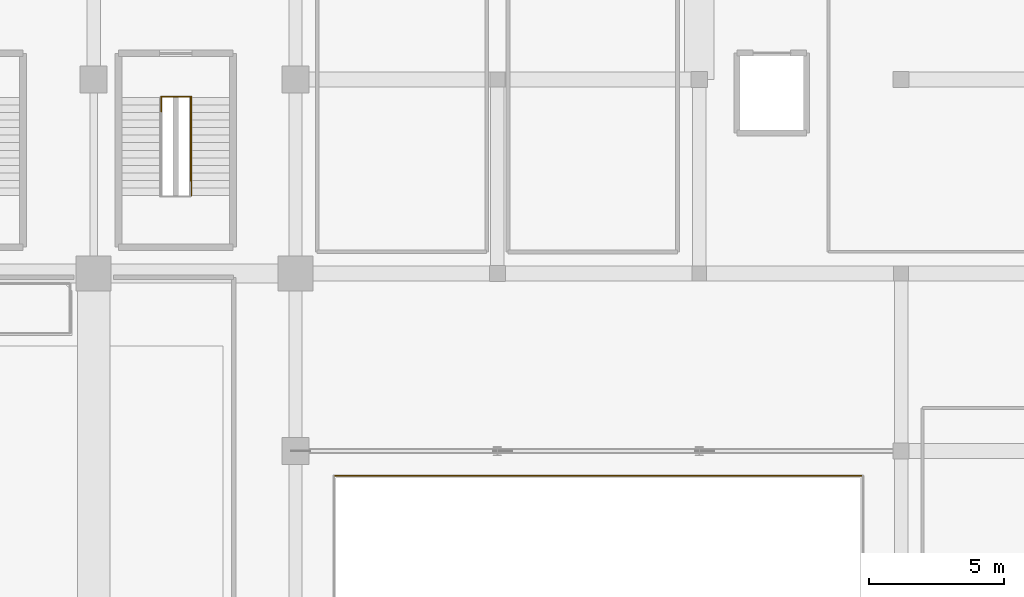
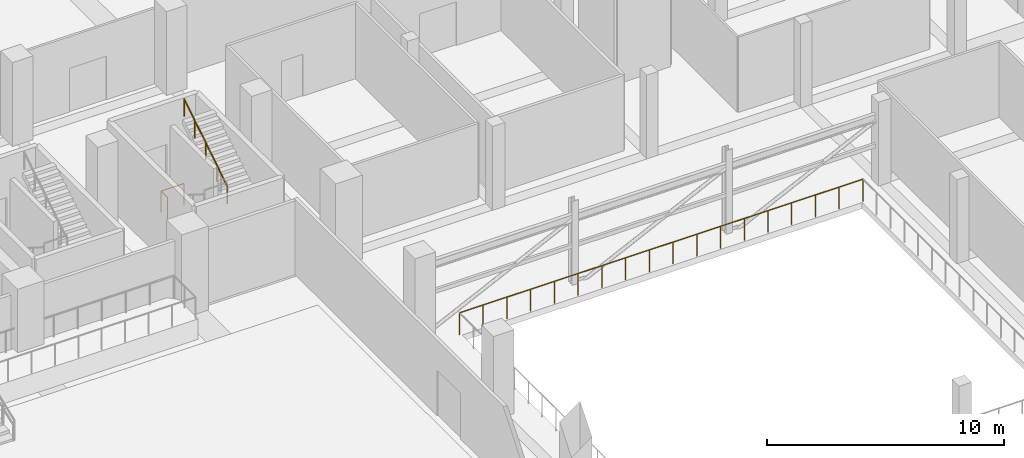
# One storey, part 62 of 68: 3 railings.
"""IFC4 building model written with IfcOpenShell, lengths in metres."""

from ifc_helpers import new_model, si_unit, direction, frame, origin, origin_2d, place, context, subcontext, project, spatial, circle, extrude, material, layer, layer_set, type_object, element, save


model = new_model("IFC4")

# Units and contexts
model_context = context("Model", 3, precision=1e-05, world=origin(), true_north=direction((0.0, 1.0)))
body_context = subcontext(model_context, "Body", "Model", "MODEL_VIEW")
ifc_project = project(units=[si_unit("LENGTHUNIT", "METRE"), si_unit("AREAUNIT", "SQUARE_METRE"), si_unit("VOLUMEUNIT", "CUBIC_METRE"), si_unit("PLANEANGLEUNIT", "RADIAN"), si_unit("MASSUNIT", "GRAM", prefix="KILO")], contexts=[model_context])

# Site, building, storey
site_placement = place(None, origin())
site = spatial("IfcSite", under=ifc_project, at=site_placement, CompositionType="ELEMENT")
building_placement = place(site_placement, origin())
building = spatial("IfcBuilding", under=site, at=building_placement, Name="Akrevak Sports Hall", CompositionType="ELEMENT")
storey_placement = place(building_placement, frame((0.0, 0.0, 9.39990234375)))
storey = spatial("IfcBuildingStorey", under=building, at=storey_placement, Name="L02", CompositionType="ELEMENT", Elevation=9.39990234375)

# Railings
ifc_material_1 = material(Name="Painted Architectural Balustrade Steel", Category="steel")
ifc_layer_1 = layer(ifc_material_1, 0.06005859375, Name="Painted Architectural Balustrade Steel")
ifc_layer_set_1 = layer_set([ifc_layer_1], Name="Painted Architectural Balustrade Steel")
railing_type_1 = type_object("IfcRailingType", Name="ARC-RL-GRD-1120", PredefinedType="GUARDRAIL", material=ifc_layer_set_1)
railing_1_placement = place(storey_placement, frame((110.510009765625, 61.215087890625, 0.0)))
element("IfcRailing", 1, at=railing_1_placement, inside=storey, type_object=railing_type_1, Name="Stair Floor Landing Well Guard ST11 (L02)", PredefinedType="GUARDRAIL", context=body_context, shape_type="SweptSolid", body=[
    extrude(circle(Radius=0.02392578125, at=origin_2d()), frame((0.0, 0.0, 1.09619140625), z_axis=(0.0, 1.0, 0.0), x_axis=(-1.0, 0.0, 0.0)), (0.0, 0.0, 1.0), 0.5498046875),
    extrude(circle(Radius=0.02392578125, at=origin_2d()), frame((0.0, 0.5498046875, 1.09619140625), z_axis=(1.0, 0.0, 0.0), x_axis=(0.0, 1.0, 0.0)), (0.0, 0.0, 1.0), 1.110107421875),
    extrude(circle(Radius=0.02099609375, at=origin_2d()), origin(), (0.0, 0.0, 1.0), 1.072021484375),
    extrude(circle(Radius=0.02099609375, at=origin_2d()), frame((0.0, 0.5498046875, 0.0)), (0.0, 0.0, 1.0), 1.072021484375),
    extrude(circle(Radius=0.02099609375, at=origin_2d()), frame((1.110107421875, 0.5498046875, 0.0)), (0.0, 0.0, 1.0), 1.072021484375),
])
ifc_material_2 = material(Name="Anodized Bronze Aluminium & Laminated Glass", Category="aluminium")
ifc_layer_2 = layer(ifc_material_2, 0.080078125, Name="Anodized Bronze Aluminium & Laminated Glass")
ifc_layer_set_2 = layer_set([ifc_layer_2], Name="Anodized Bronze Aluminium & Laminated Glass")
railing_type_2 = type_object("IfcRailingType", Name="ARC-RL-GRD-1150", PredefinedType="GUARDRAIL", material=ifc_layer_set_2)
railing_2_placement = place(storey_placement, frame((136.580078125, 47.679931640625, 0.0)))
element("IfcRailing", 2, at=railing_2_placement, inside=storey, type_object=railing_type_2, Name="Atrium/Arena Gallery Guardrail L02-CLM-N", PredefinedType="GUARDRAIL", context=body_context, shape_type="SweptSolid", body=[
    extrude(circle(Radius=0.02392578125, at=origin_2d()), frame((0.0, 0.0, 1.1259765625), z_axis=(-1.0, 0.0, 0.0), x_axis=(0.0, -1.0, 0.0)), (0.0, 0.0, 1.0), 19.66015625),
    extrude(circle(Radius=0.02099609375, at=origin_2d()), origin(), (0.0, 0.0, 1.0), 1.101806640625),
    extrude(circle(Radius=0.02099609375, at=origin_2d()), frame((-1.156494140625, 0.0, 0.0)), (0.0, 0.0, 1.0), 1.101806640625),
    extrude(circle(Radius=0.02099609375, at=origin_2d()), frame((-2.31298828125, 0.0, 0.0)), (0.0, 0.0, 1.0), 1.101806640625),
    extrude(circle(Radius=0.02099609375, at=origin_2d()), frame((-3.469482421875, 0.0, 0.0)), (0.0, 0.0, 1.0), 1.101806640625),
    extrude(circle(Radius=0.02099609375, at=origin_2d()), frame((-4.6259765625, 0.0, 0.0)), (0.0, 0.0, 1.0), 1.101806640625),
    extrude(circle(Radius=0.02099609375, at=origin_2d()), frame((-5.782470703125, 0.0, 0.0)), (0.0, 0.0, 1.0), 1.101806640625),
    extrude(circle(Radius=0.02099609375, at=origin_2d()), frame((-6.93896484375, 0.0, 0.0)), (0.0, 0.0, 1.0), 1.101806640625),
    extrude(circle(Radius=0.02099609375, at=origin_2d()), frame((-8.095458984375, 0.0, 0.0)), (0.0, 0.0, 1.0), 1.101806640625),
    extrude(circle(Radius=0.02099609375, at=origin_2d()), frame((-9.251953125, 0.0, 0.0)), (0.0, 0.0, 1.0), 1.101806640625),
    extrude(circle(Radius=0.02099609375, at=origin_2d()), frame((-10.408203125, 0.0, 0.0)), (0.0, 0.0, 1.0), 1.101806640625),
    extrude(circle(Radius=0.02099609375, at=origin_2d()), frame((-11.564697265625, 0.0, 0.0)), (0.0, 0.0, 1.0), 1.101806640625),
    extrude(circle(Radius=0.02099609375, at=origin_2d()), frame((-12.72119140625, 0.0, 0.0)), (0.0, 0.0, 1.0), 1.101806640625),
    extrude(circle(Radius=0.02099609375, at=origin_2d()), frame((-13.877685546875, 0.0, 0.0)), (0.0, 0.0, 1.0), 1.101806640625),
    extrude(circle(Radius=0.02099609375, at=origin_2d()), frame((-15.0341796875, 0.0, 0.0)), (0.0, 0.0, 1.0), 1.101806640625),
    extrude(circle(Radius=0.02099609375, at=origin_2d()), frame((-16.190673828125, 0.0, 0.0)), (0.0, 0.0, 1.0), 1.101806640625),
    extrude(circle(Radius=0.02099609375, at=origin_2d()), frame((-17.34716796875, 0.0, 0.0)), (0.0, 0.0, 1.0), 1.101806640625),
    extrude(circle(Radius=0.02099609375, at=origin_2d()), frame((-18.503662109375, 0.0, 0.0)), (0.0, 0.0, 1.0), 1.101806640625),
    extrude(circle(Radius=0.02099609375, at=origin_2d()), frame((-19.66015625, 0.0, 0.0)), (0.0, 0.0, 1.0), 1.101806640625),
])
ifc_material_3 = material(Name="Brushed Stainless Steel 304", Category="steel")
ifc_layer_3 = layer(ifc_material_3, 0.050048828125, Name="Brushed Stainless Steel 304")
ifc_layer_set_3 = layer_set([ifc_layer_3], Name="Brushed Stainless Steel 304")
railing_type_3 = type_object("IfcRailingType", Name="ARC-RL-HND-900", PredefinedType="HANDRAIL", material=ifc_layer_set_3)
railing_3_placement = place(storey_placement, frame((111.6201171875, 58.094970703125, 2.300048828125)))
element("IfcRailing", 3, at=railing_3_placement, inside=storey, type_object=railing_type_3, Name="Stair Handrail ST11-L02-F2", PredefinedType="HANDRAIL", context=body_context, shape_type="SweptSolid", body=[
    extrude(circle(Radius=0.02392578125, at=origin_2d()), frame((0.0, 0.0, 0.8759765625), z_axis=(0.0, 0.845382449256, 0.534161505998), x_axis=(-1.0, 0.0, 0.0)), (0.0, 0.0, 1.0), 4.305908203125),
    extrude(circle(Radius=0.02099609375, at=origin_2d()), origin(), (0.0, 0.0, 1.0), 0.851806640625),
    extrude(circle(Radius=0.02099609375, at=origin_2d()), frame((0.0, 0.91015625, 0.574951171875)), (0.0, 0.0, 1.0), 0.851806640625),
    extrude(circle(Radius=0.02099609375, at=origin_2d()), frame((0.0, 1.820068359375, 1.14990234375)), (0.0, 0.0, 1.0), 0.851806640625),
    extrude(circle(Radius=0.02099609375, at=origin_2d()), frame((0.0, 2.72998046875, 1.72509765625)), (0.0, 0.0, 1.0), 0.851806640625),
    extrude(circle(Radius=0.02099609375, at=origin_2d()), frame((0.0, 3.64013671875, 2.300048828125)), (0.0, 0.0, 1.0), 0.851806640625),
])

save(model, "model.ifc")
